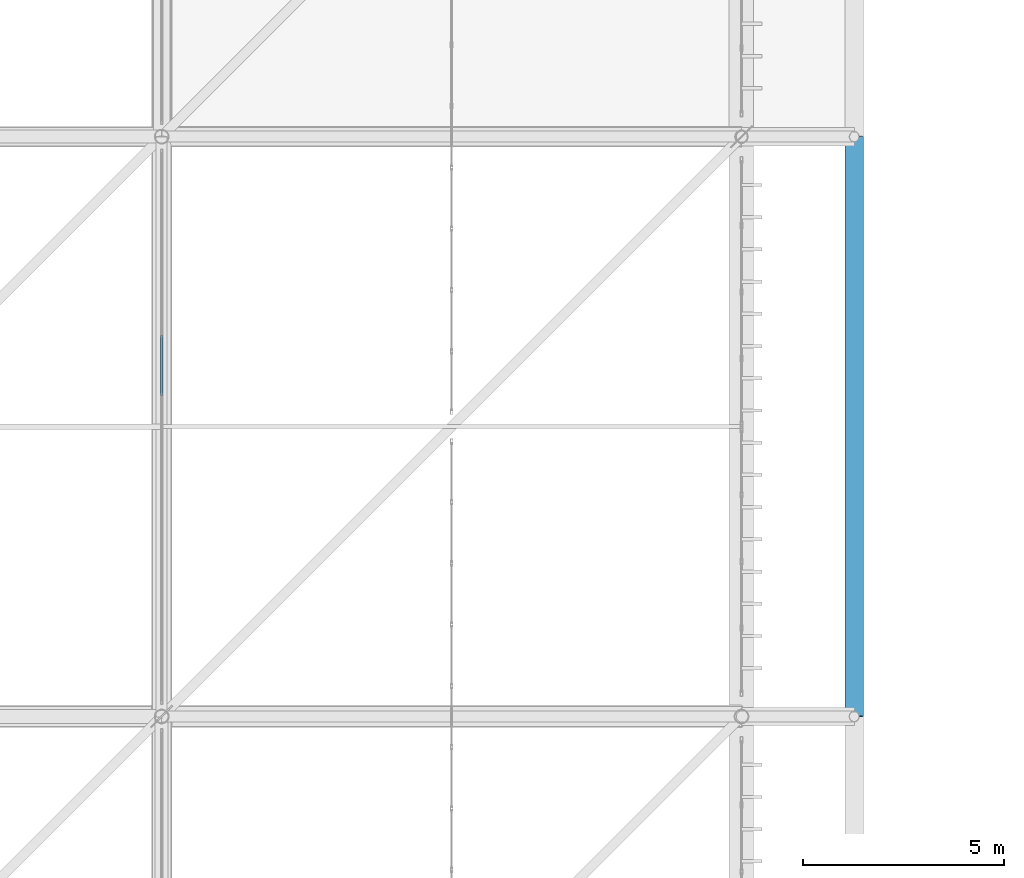
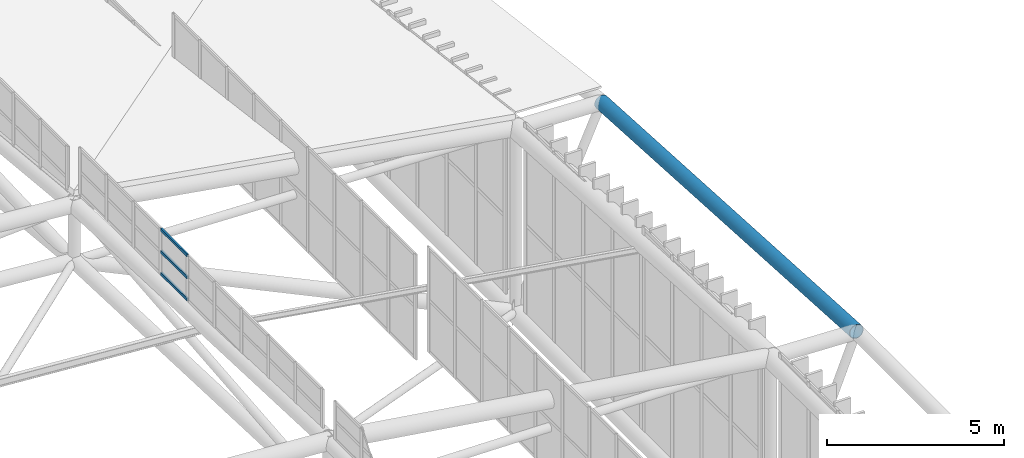
# One storey, part 285 of 397: 3 members, 1 beam, 1 element without a shape of its own.
"""IFC4 building model written with IfcOpenShell, lengths in metres."""

from ifc_helpers import new_model, si_unit, direction, frame, origin, origin_2d, place, context, subcontext, project, spatial, hollow_rectangle, hollow_circle, extrude, material, material_profile, profile_set, type_object, element, aggregate, save


model = new_model("IFC4")

# Units and contexts
model_context = context("Model", 3, precision=1e-05, world=origin(), true_north=direction((0.0, 1.0)))
body_context = subcontext(model_context, "Body", "Model", "MODEL_VIEW")
ifc_project = project(units=[si_unit("LENGTHUNIT", "METRE"), si_unit("AREAUNIT", "SQUARE_METRE"), si_unit("VOLUMEUNIT", "CUBIC_METRE"), si_unit("PLANEANGLEUNIT", "RADIAN"), si_unit("MASSUNIT", "GRAM", prefix="KILO")], contexts=[model_context])

# Site, building, storey
site_placement = place(None, origin())
site = spatial("IfcSite", under=ifc_project, at=site_placement, CompositionType="ELEMENT")
building_placement = place(site_placement, origin())
building = spatial("IfcBuilding", under=site, at=building_placement, Name="Qandorah Velis Arena", CompositionType="ELEMENT")
storey_placement = place(building_placement, frame((0.0, 0.0, 27.5)))
storey = spatial("IfcBuildingStorey", under=building, at=storey_placement, Name="RF", CompositionType="ELEMENT", Elevation=27.5)

# Curtain wall, members
ifc_material_1 = material(Name="Solar-control low-E double glazing", Category="glass")
curtain_wall_type = type_object("IfcCurtainWallType", Name="ARC-CW-SYS14", PredefinedType="USERDEFINED", material=ifc_material_1)
curtain_wall_placement = place(storey_placement, origin())
curtain_wall = element("IfcCurtainWall", 1, at=curtain_wall_placement, inside=storey, type_object=curtain_wall_type, Name="Unitised curtain wall OCULUS-2-4", ObjectType="UNITISED CURTAIN WALL", PredefinedType="USERDEFINED")
ifc_material_2 = material(Name="Champagne-bronze anodized aluminium 6063-T6", Category="aluminium")
ifc_material_profile_1 = material_profile(ifc_material_2, hollow_rectangle(XDim=0.054931640625, YDim=0.10009765625, WallThickness=0.0029296875, at=origin_2d()), Name="ALU TRANSOM 55x100")
ifc_profile_set_1 = profile_set([ifc_material_profile_1], Name="Champagne-bronze anodized aluminium 6063-T6")
member_type = type_object("IfcMemberType", Name="ARC-CWT-100", PredefinedType="USERDEFINED", material=ifc_profile_set_1)
member_1_placement = place(storey_placement, frame((100.800048828125, 79.9765625, 9.455078125), z_axis=(0.0, 1.0, 0.0), x_axis=(-1.0, 0.0, 0.0)))
member_1 = element("IfcMember", 2, at=member_1_placement, type_object=member_type, Name="CW14 transom 6.1", ObjectType="TRANSOM", PredefinedType="USERDEFINED", context=body_context, shape_type="SweptSolid", body=[
    extrude(hollow_rectangle(XDim=0.054931640625, YDim=0.10009765625, WallThickness=0.0029296875, at=origin_2d()), origin(), (0.0, 0.0, 1.0), 1.4912109375),
])
member_2_placement = place(storey_placement, frame((100.800048828125, 79.9765625, 10.2138671875), z_axis=(0.0, 1.0, 0.0), x_axis=(-1.0, 0.0, 0.0)))
member_2 = element("IfcMember", 3, at=member_2_placement, type_object=member_type, Name="CW14 transom 6.2", ObjectType="TRANSOM", PredefinedType="USERDEFINED", context=body_context, shape_type="SweptSolid", body=[
    extrude(hollow_rectangle(XDim=0.054931640625, YDim=0.10009765625, WallThickness=0.0029296875, at=origin_2d()), origin(), (0.0, 0.0, 1.0), 1.4912109375),
])
member_3_placement = place(storey_placement, frame((100.800048828125, 79.9765625, 10.972412109375), z_axis=(0.0, 1.0, 0.0), x_axis=(-1.0, 0.0, 0.0)))
member_3 = element("IfcMember", 4, at=member_3_placement, type_object=member_type, Name="CW14 transom 6.3", ObjectType="TRANSOM", PredefinedType="USERDEFINED", context=body_context, shape_type="SweptSolid", body=[
    extrude(hollow_rectangle(XDim=0.054931640625, YDim=0.10009765625, WallThickness=0.0029296875, at=origin_2d()), origin(), (0.0, 0.0, 1.0), 1.4912109375),
])
aggregate(curtain_wall, [member_1, member_2, member_3])

# Beam
ifc_material_3 = material(Name="Steel S355", Category="steel")
ifc_material_profile_2 = material_profile(ifc_material_3, hollow_circle(Radius=0.228515625, WallThickness=0.01611328125, at=origin_2d()), Name="CHS 457x16")
ifc_profile_set_2 = profile_set([ifc_material_profile_2], Name="Steel S355")
beam_type = type_object("IfcBeamType", Name="STR-SFC-CHS457X16", PredefinedType="USERDEFINED", material=ifc_profile_set_2)
beam_placement = place(storey_placement, frame((118.0, 72.0, 7.170654296875), z_axis=(0.0, 0.998373647431, -0.057009298507), x_axis=(-1.0, 0.0, 0.0)))
element("IfcBeam", 5, at=beam_placement, inside=storey, type_object=beam_type, Name="Space frame eave fascia ring E-4", ObjectType="ROOF TRUSS", PredefinedType="USERDEFINED", context=body_context, shape_type="SweptSolid", body=[
    extrude(hollow_circle(Radius=0.228515625, WallThickness=0.01611328125, at=origin_2d()), origin(), (0.0, 0.0, 1.0), 14.42333984375),
])

save(model, "model.ifc")
